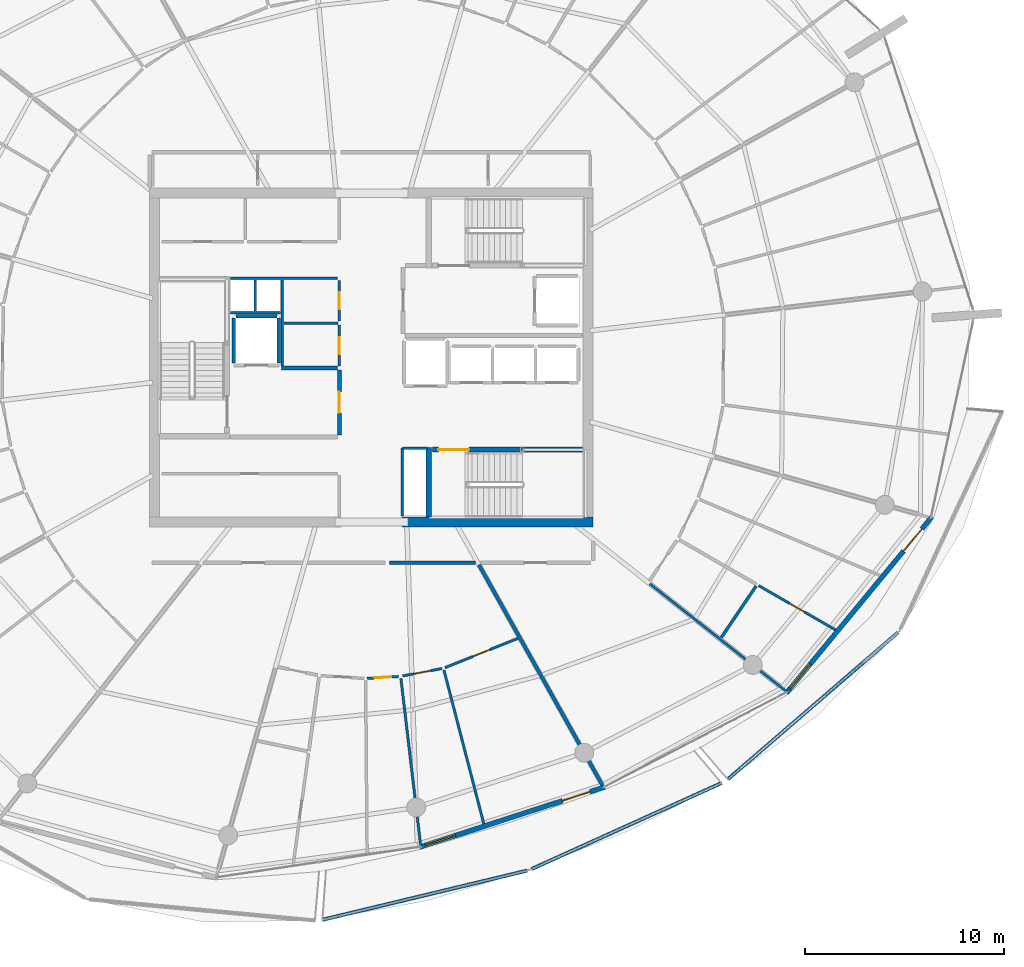
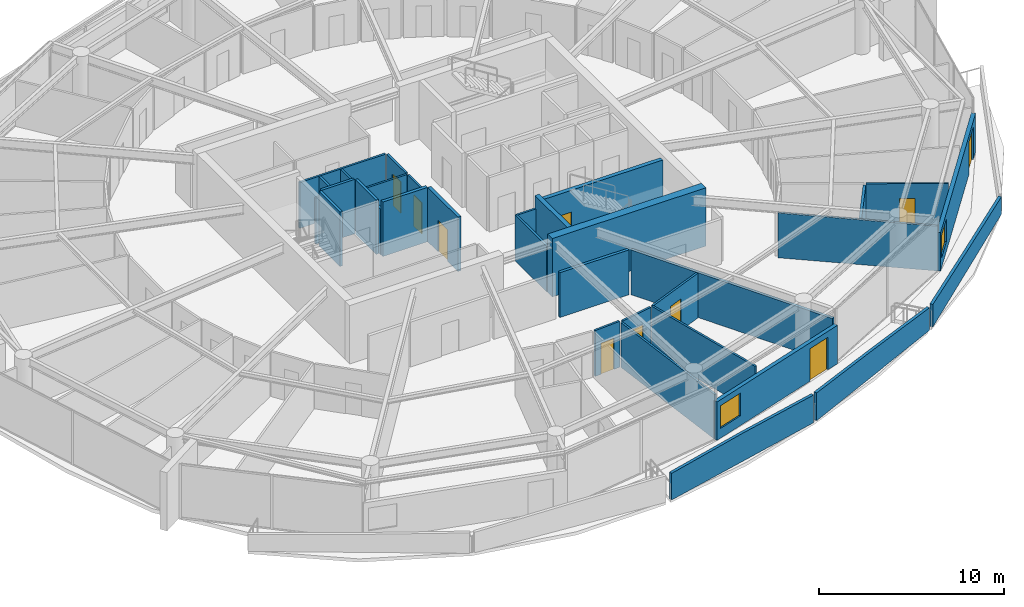
# One storey, part 19 of 30: 32 walls, 10 doors, 2 windows, 12 openings.
"""IFC4 building model written with IfcOpenShell, lengths in metres."""

from ifc_helpers import new_model, si_unit, direction, frame, frame_2d, origin, place, context, subcontext, project, spatial, polyline, rectangle, outline, extrude, material, layer, layer_set, type_object, element, fill, save


model = new_model("IFC4")

# Units and contexts
model_context = context("Model", 3, precision=1e-05, world=origin(), true_north=direction((0.0, 1.0)))
body_context = subcontext(model_context, "Body", "Model", "MODEL_VIEW")
ifc_project = project(units=[si_unit("LENGTHUNIT", "METRE"), si_unit("AREAUNIT", "SQUARE_METRE"), si_unit("VOLUMEUNIT", "CUBIC_METRE"), si_unit("PLANEANGLEUNIT", "RADIAN"), si_unit("MASSUNIT", "GRAM", prefix="KILO")], contexts=[model_context])

# Site, building, storey
site_placement = place(None, origin())
site = spatial("IfcSite", under=ifc_project, at=site_placement, CompositionType="ELEMENT")
building_placement = place(site_placement, origin())
building = spatial("IfcBuilding", under=site, at=building_placement, Name="Kazma Halo Residences", CompositionType="ELEMENT")
storey_placement = place(building_placement, frame((0.0, 0.0, 294.449951171875)))
storey = spatial("IfcBuildingStorey", under=building, at=storey_placement, Name="L74", CompositionType="ELEMENT", Elevation=294.449951171875)

# Walls
ifc_material_1 = material(Name="White Concrete C50/60 Balustrade", Category="concrete")
ifc_layer_1 = layer(ifc_material_1, 0.179931640625)
ifc_layer_set_1 = layer_set([ifc_layer_1], Name="White Concrete C50/60 Balustrade")
wall_type_1 = type_object("IfcWallType", Name="WL-BAL-WAVE-180", PredefinedType="PARAPET", material=ifc_layer_set_1)
wall_1_placement = place(storey_placement, frame((45.952392578125, 13.780517578125, 0.0), z_axis=(0.0, 0.0, 1.0), x_axis=(0.972325059784, 0.233632142729, 0.0)))
element("IfcWall", 1, at=wall_1_placement, inside=storey, type_object=wall_type_1, Name="L74 white wave balustrade wall SSE.1", PredefinedType="PARAPET", context=body_context, shape_type="SweptSolid", body=[
    extrude(outline(polyline([(0.0, 0.0), (10.580322265625, 0.0), (10.580322265625, 1.83203125), (5.290283203125, 1.85302734375), (0.0, 1.756103515625), (0.0, 0.0)])), frame((0.0, 0.08984375, 0.0), z_axis=(0.0, -1.0, 0.0), x_axis=(1.0, 0.0, 0.0)), (0.0, 0.0, 1.0), 0.179931640625),
])
wall_2_placement = place(storey_placement, frame((56.466064453125, 16.329833984375, 0.0), z_axis=(0.0, 0.0, 1.0), x_axis=(0.910900469726, 0.412626143444, 0.0)))
element("IfcWall", 2, at=wall_2_placement, inside=storey, type_object=wall_type_1, Name="L74 white wave balustrade wall SSE.2", PredefinedType="PARAPET", context=body_context, shape_type="SweptSolid", body=[
    extrude(outline(polyline([(0.0, 0.0), (10.4755859375, 0.0), (10.4755859375, 1.4970703125), (5.23779296875, 1.696044921875), (0.0, 1.83203125), (0.0, 0.0)])), frame((0.0, 0.08984375, 0.0), z_axis=(0.0, -1.0, 0.0), x_axis=(1.0, 0.0, 0.0)), (0.0, 0.0, 1.0), 0.179931640625),
])
wall_3_placement = place(storey_placement, frame((66.30615234375, 20.82958984375, 0.0), z_axis=(0.0, 0.0, 1.0), x_axis=(0.757188428153, 0.653196512751, 0.0)))
element("IfcWall", 3, at=wall_3_placement, inside=storey, type_object=wall_type_1, Name="L74 white wave balustrade wall SE.1", PredefinedType="PARAPET", context=body_context, shape_type="SweptSolid", body=[
    extrude(outline(polyline([(0.0, 0.0), (11.2783203125, 0.0), (11.2783203125, 1.14794921875), (5.63916015625, 1.283935546875), (0.0, 1.483154296875), (0.0, 0.0)])), frame((0.0, 0.08984375, 0.0), z_axis=(0.0, -1.0, 0.0), x_axis=(1.0, 0.0, 0.0)), (0.0, 0.0, 1.0), 0.179931640625),
])
ifc_material_2 = material(Name="Concrete C60/75", Category="concrete")
ifc_layer_2 = layer(ifc_material_2, 0.5)
ifc_layer_set_2 = layer_set([ifc_layer_2], Name="Concrete C60/75")
wall_type_2 = type_object("IfcWallType", Name="WL-CORE-500", PredefinedType="SHEAR", material=ifc_layer_set_2)
wall_4_placement = place(storey_placement, frame((49.949951171875, 33.75, 0.0), z_axis=(0.0, 0.0, 1.0), x_axis=(1.0, 0.0, 0.0)))
element("IfcWall", 4, at=wall_4_placement, inside=storey, type_object=wall_type_2, Name="L74 central core shear wall SE", PredefinedType="SHEAR", context=body_context, shape_type="SweptSolid", body=[
    extrude(rectangle(XDim=9.60009765625, YDim=0.5, at=frame_2d((4.800048828125, 0.0))), origin(), (0.0, 0.0, 1.0), 3.85009765625),
])
ifc_layer_3 = layer(ifc_material_2, 0.280029296875)
ifc_layer_set_3 = layer_set([ifc_layer_3], Name="Concrete C60/75")
wall_type_3 = type_object("IfcWallType", Name="WL-CORE-ST-280", PredefinedType="SHEAR", material=ifc_layer_set_3)
wall_5_placement = place(storey_placement, frame((51.31005859375, 34.0, 0.0), z_axis=(0.0, 0.0, 1.0), x_axis=(0.0, 1.0, 0.0)))
element("IfcWall", 5, at=wall_5_placement, inside=storey, type_object=wall_type_3, Name="L74 stairwell bearing wall ST03-W", PredefinedType="SHEAR", context=body_context, shape_type="SweptSolid", body=[
    extrude(rectangle(XDim=3.5, YDim=0.280029296875, at=frame_2d((1.75, 0.0))), origin(), (0.0, 0.0, 1.0), 3.85009765625),
])
ifc_material_3 = material(Name="Acoustic Twin-Stud Gypsum")
ifc_layer_4 = layer(ifc_material_3, 0.179931640625)
ifc_layer_set_4 = layer_set([ifc_layer_4], Name="Acoustic Twin-Stud Gypsum")
wall_type_4 = type_object("IfcWallType", Name="WL-DEM-180", PredefinedType="PARTITIONING", material=ifc_layer_set_4)
wall_6_placement = place(storey_placement, frame((53.822021484375, 31.60400390625, 0.0), z_axis=(0.0, 0.0, 1.0), x_axis=(0.48862858053, -0.872491896976, 0.0)))
element("IfcWall", 6, at=wall_6_placement, inside=storey, type_object=wall_type_4, Name="L74 apartment demising radial wall 12", PredefinedType="PARTITIONING", context=body_context, shape_type="SweptSolid", body=[
    extrude(rectangle(XDim=12.679443359375, YDim=0.179931640625, at=frame_2d((6.33984375, 0.0))), origin(), (0.0, 0.0, 1.0), 2.95703125),
])
wall_7_placement = place(storey_placement, frame((49.339111328125, 31.699951171875, 0.0), z_axis=(0.0, 0.0, 1.0), x_axis=(1.0, 0.0, 0.0)))
element("IfcWall", 7, at=wall_7_placement, inside=storey, type_object=wall_type_4, Name="L74 Apartment 1 inner wall 11", PredefinedType="PARTITIONING", context=body_context, shape_type="SweptSolid", body=[
    extrude(rectangle(XDim=4.30908203125, YDim=0.179931640625, at=frame_2d((2.154541015625, 0.0))), origin(), (0.0, 0.0, 1.0), 2.95703125),
])

# Wall, openings, door, window
ifc_material_4 = material(Name="Insulated Pale-Metal Composite Wall")
ifc_layer_5 = layer(ifc_material_4, 0.239990234375)
ifc_layer_set_5 = layer_set([ifc_layer_5], Name="Insulated Pale-Metal Composite Wall")
wall_type_5 = type_object("IfcWallType", Name="WL-EXT-HOST-240", PredefinedType="SOLIDWALL", material=ifc_layer_set_5)
wall_8_placement = place(storey_placement, frame((50.85791015625, 17.436279296875, 0.0), z_axis=(0.0, 0.0, 1.0), x_axis=(0.951055974609, 0.309018661507, 0.0)))
wall_8 = element("IfcWall", 8, at=wall_8_placement, inside=storey, type_object=wall_type_5, Name="L74 exterior terrace-access wall B12", PredefinedType="SOLIDWALL", context=body_context, shape_type="SweptSolid", body=[
    extrude(rectangle(XDim=9.745361328125, YDim=0.239990234375, at=frame_2d((4.87255859375, 0.0))), origin(), (0.0, 0.0, 1.0), 2.5400390625),
])
opening_1_placement = place(wall_8_placement, frame((7.525390625, 0.0, 0.0)))
opening_1 = element("IfcOpeningElement", 9, at=opening_1_placement, cuts=wall_8, Name="Opening DTR-1600", PredefinedType="OPENING", context=body_context, shape_type="SweptSolid", body=[
    extrude(rectangle(XDim=1.449951171875, YDim=2.14990234375, at=frame_2d((0.72509765625, 1.074951171875))), frame((0.0, 0.1298828125, 0.0), z_axis=(0.0, -1.0, 0.0), x_axis=(1.0, 0.0, 0.0)), (0.0, 0.0, 1.0), 0.260009765625),
])
opening_2_placement = place(wall_8_placement, frame((0.280029296875, 0.0, 0.64990234375)))
opening_2 = element("IfcOpeningElement", 10, at=opening_2_placement, cuts=wall_8, Name="Opening W-1800", PredefinedType="OPENING", context=body_context, shape_type="SweptSolid", body=[
    extrude(rectangle(XDim=1.60009765625, YDim=1.5, at=frame_2d((0.800048828125, 0.75))), frame((0.0, 0.1298828125, 0.0), z_axis=(0.0, -1.0, 0.0), x_axis=(1.0, 0.0, 0.0)), (0.0, 0.0, 1.0), 0.260009765625),
])
ifc_material_5 = material(Name="Aluminium AW-6063 T6 Double-Glazed Terrace Door", Category="aluminium")
door_type_1 = type_object("IfcDoorType", Name="DR-EXT-TERR-1600", OperationType="NOTDEFINED", PredefinedType="DOOR", material=ifc_material_5)
door_1_placement = place(opening_1_placement, origin())
door_1 = element("IfcDoor", 11, at=door_1_placement, inside=storey, type_object=door_type_1, Name="L74 B12 balcony terrace door", OperationType="DOUBLE_DOOR_SLIDING", OverallHeight=2.14990234375, OverallWidth=1.449951171875, PredefinedType="DOOR", context=body_context, shape_type="SweptSolid", body=[
    extrude(rectangle(XDim=1.449951171875, YDim=2.14990234375, at=frame_2d((0.72509765625, 1.074951171875))), frame((0.0, 0.02490234375, 0.0), z_axis=(0.0, -1.0, 0.0), x_axis=(1.0, 0.0, 0.0)), (0.0, 0.0, 1.0), 0.050048828125),
])
fill(opening_1, door_1)
ifc_material_6 = material(Name="Clear Triple-Silver Low-E Glass in Aluminium AW-6063 T6 Frame", Category="aluminium")
window_type = type_object("IfcWindowType", Name="WIN-RES-1800", PartitioningType="DOUBLE_PANEL_VERTICAL", PredefinedType="WINDOW", material=ifc_material_6)
window_1_placement = place(opening_2_placement, origin())
window_1 = element("IfcWindow", 12, at=window_1_placement, inside=storey, type_object=window_type, Name="L74 B12 apartment window", OverallHeight=1.5, OverallWidth=1.60009765625, PartitioningType="SINGLE_PANEL", PredefinedType="WINDOW", context=body_context, shape_type="SweptSolid", body=[
    extrude(rectangle(XDim=1.60009765625, YDim=1.5, at=frame_2d((0.800048828125, 0.75))), frame((0.0, 0.030029296875, 0.0), z_axis=(0.0, -1.0, 0.0), x_axis=(1.0, 0.0, 0.0)), (0.0, 0.0, 1.0), 0.06005859375),
])
fill(opening_2, window_1)

wall_9_placement = place(storey_placement, frame((69.2578125, 25.177978515625, 0.0), z_axis=(0.0, 0.0, 1.0), x_axis=(0.636680093065, 0.771128043255, 0.0)))
wall_9 = element("IfcWall", 13, at=wall_9_placement, inside=storey, type_object=wall_type_5, Name="L74 exterior terrace-access wall B14", PredefinedType="SOLIDWALL", context=body_context, shape_type="SweptSolid", body=[
    extrude(rectangle(XDim=11.438232421875, YDim=0.239990234375, at=frame_2d((5.71923828125, 0.0))), origin(), (0.0, 0.0, 1.0), 2.5400390625),
])
opening_3_placement = place(wall_9_placement, frame((9.21826171875, 0.0, 0.0)))
opening_3 = element("IfcOpeningElement", 14, at=opening_3_placement, cuts=wall_9, Name="Opening DTR-1600", PredefinedType="OPENING", context=body_context, shape_type="SweptSolid", body=[
    extrude(rectangle(XDim=1.449951171875, YDim=2.14990234375, at=frame_2d((0.72509765625, 1.074951171875))), frame((0.0, 0.1298828125, 0.0), z_axis=(0.0, -1.0, 0.0), x_axis=(1.0, 0.0, 0.0)), (0.0, 0.0, 1.0), 0.260009765625),
])
opening_4_placement = place(wall_9_placement, frame((0.280029296875, 0.0, 0.64990234375)))
opening_4 = element("IfcOpeningElement", 15, at=opening_4_placement, cuts=wall_9, Name="Opening W-1800", PredefinedType="OPENING", context=body_context, shape_type="SweptSolid", body=[
    extrude(rectangle(XDim=1.60009765625, YDim=1.5, at=frame_2d((0.800048828125, 0.75))), frame((0.0, 0.1298828125, 0.0), z_axis=(0.0, -1.0, 0.0), x_axis=(1.0, 0.0, 0.0)), (0.0, 0.0, 1.0), 0.260009765625),
])
door_2_placement = place(opening_3_placement, origin())
door_2 = element("IfcDoor", 16, at=door_2_placement, inside=storey, type_object=door_type_1, Name="L74 B14 balcony terrace door", OperationType="DOUBLE_DOOR_SLIDING", OverallHeight=2.14990234375, OverallWidth=1.449951171875, PredefinedType="DOOR", context=body_context, shape_type="SweptSolid", body=[
    extrude(rectangle(XDim=1.449951171875, YDim=2.14990234375, at=frame_2d((0.72509765625, 1.074951171875))), frame((0.0, 0.02490234375, 0.0), z_axis=(0.0, -1.0, 0.0), x_axis=(1.0, 0.0, 0.0)), (0.0, 0.0, 1.0), 0.050048828125),
])
fill(opening_3, door_2)
window_2_placement = place(opening_4_placement, origin())
window_2 = element("IfcWindow", 17, at=window_2_placement, inside=storey, type_object=window_type, Name="L74 B14 apartment window", OverallHeight=1.5, OverallWidth=1.60009765625, PartitioningType="SINGLE_PANEL", PredefinedType="WINDOW", context=body_context, shape_type="SweptSolid", body=[
    extrude(rectangle(XDim=1.60009765625, YDim=1.5, at=frame_2d((0.800048828125, 0.75))), frame((0.0, 0.030029296875, 0.0), z_axis=(0.0, -1.0, 0.0), x_axis=(1.0, 0.0, 0.0)), (0.0, 0.0, 1.0), 0.06005859375),
])
fill(opening_4, window_2)

# Walls
ifc_material_7 = material(Name="Fire-Rated Blockwork Masonry", Category="masonry")
ifc_layer_6 = layer(ifc_material_7, 0.199951171875)
ifc_layer_set_6 = layer_set([ifc_layer_6], Name="Fire-Rated Blockwork Masonry")
wall_type_6 = type_object("IfcWallType", Name="WL-FLB-200", PredefinedType="PARTITIONING", material=ifc_layer_set_6)
for number, where, z_axis, x_axis, name in (
    (18, (43.780029296875, 41.719970703125, 0.0), (0.0, 0.0, 1.0), (0.0, 1.0, 0.0), "L74 lift shaft FL-01 side wall E"),
    (19, (41.52001953125, 41.719970703125, 0.0), (0.0, 0.0, 1.0), (0.0, 1.0, 0.0), "L74 lift shaft FL-01 side wall W"),
):
    element("IfcWall", number, at=place(storey_placement, frame(where, z_axis=z_axis, x_axis=x_axis)), inside=storey, type_object=wall_type_6, Name=name, PredefinedType="PARTITIONING", context=body_context, shape_type="SweptSolid", body=[
        extrude(rectangle(XDim=2.260009765625, YDim=0.159912109375, at=frame_2d((1.1298828125, 0.0))), origin(), (0.0, 0.0, 1.0), 3.590087890625),
    ])
wall_10_placement = place(storey_placement, frame((41.6201171875, 44.080078125, 0.0), z_axis=(0.0, 0.0, 1.0), x_axis=(1.0, 0.0, 0.0)))
element("IfcWall", 20, at=wall_10_placement, inside=storey, type_object=wall_type_6, Name="L74 lift shaft FL-01 side wall N", PredefinedType="PARTITIONING", context=body_context, shape_type="SweptSolid", body=[
    extrude(rectangle(XDim=2.059814453125, YDim=0.159912109375, at=frame_2d((1.02978515625, 0.0))), origin(), (0.0, 0.0, 1.0), 3.590087890625),
])
wall_11_placement = place(storey_placement, frame((43.919921875, 41.47998046875, 0.0), z_axis=(0.0, 0.0, 1.0), x_axis=(1.0, 0.0, 0.0)))
element("IfcWall", 21, at=wall_11_placement, inside=storey, type_object=wall_type_6, Name="L74 west firefighting lobby north smoke wall", PredefinedType="PARTITIONING", context=body_context, shape_type="SweptSolid", body=[
    extrude(rectangle(XDim=2.800048828125, YDim=0.199951171875, at=frame_2d((1.39990234375, 0.0))), origin(), (0.0, 0.0, 1.0), 3.590087890625),
])

# Wall, opening, door
wall_12_placement = place(storey_placement, frame((46.820068359375, 38.1201171875, 0.0), z_axis=(0.0, 0.0, 1.0), x_axis=(0.0, 1.0, 0.0)))
wall_12 = element("IfcWall", 22, at=wall_12_placement, inside=storey, type_object=wall_type_6, Name="L74 west firefighting lobby smoke wall", PredefinedType="PARTITIONING", context=body_context, shape_type="SweptSolid", body=[
    extrude(rectangle(XDim=3.259765625, YDim=0.199951171875, at=frame_2d((1.6298828125, 0.0))), origin(), (0.0, 0.0, 1.0), 3.590087890625),
])
opening_5_placement = place(wall_12_placement, frame((1.10498046875, 0.0, 0.0)))
opening_5 = element("IfcOpeningElement", 23, at=opening_5_placement, cuts=wall_12, Name="Opening D-FLW", PredefinedType="OPENING", context=body_context, shape_type="SweptSolid", body=[
    extrude(rectangle(XDim=1.050048828125, YDim=2.10009765625, at=frame_2d((0.52490234375, 1.050048828125))), frame((0.0, 0.10986328125, 0.0), z_axis=(0.0, -1.0, 0.0), x_axis=(1.0, 0.0, 0.0)), (0.0, 0.0, 1.0), 0.219970703125),
])
ifc_material_8 = material(Name="Fire-Rated Steel Leaf", Category="steel")
door_type_2 = type_object("IfcDoorType", Name="DR-FD90-1050", OperationType="NOTDEFINED", PredefinedType="DOOR", material=ifc_material_8)
door_3_placement = place(opening_5_placement, origin())
door_3 = element("IfcDoor", 24, at=door_3_placement, inside=storey, type_object=door_type_2, Name="L74 west firefighting lobby smoke door", OperationType="SINGLE_SWING_LEFT", OverallHeight=2.10009765625, OverallWidth=1.050048828125, PredefinedType="DOOR", context=body_context, shape_type="SweptSolid", body=[
    extrude(rectangle(XDim=1.050048828125, YDim=2.10009765625, at=frame_2d((0.52490234375, 1.050048828125))), frame((0.0, 0.02490234375, 0.0), z_axis=(0.0, -1.0, 0.0), x_axis=(1.0, 0.0, 0.0)), (0.0, 0.0, 1.0), 0.050048828125),
])
fill(opening_5, door_3)

# Walls
ifc_material_9 = material(Name="Gypsum Plasterboard Partition")
ifc_layer_7 = layer(ifc_material_9, 0.125)
ifc_layer_set_7 = layer_set([ifc_layer_7], Name="Gypsum Plasterboard Partition")
wall_type_7 = type_object("IfcWallType", Name="WL-PART-125", PredefinedType="PARTITIONING", material=ifc_layer_set_7)
wall_13_placement = place(storey_placement, frame((41.360107421875, 45.97998046875, 0.0), z_axis=(0.0, 0.0, 1.0), x_axis=(1.0, 0.0, 0.0)))
element("IfcWall", 25, at=wall_13_placement, inside=storey, type_object=wall_type_7, Name="L74 core north riser wall", PredefinedType="PARTITIONING", context=body_context, shape_type="SweptSolid", body=[
    extrude(rectangle(XDim=5.35986328125, YDim=0.125, at=frame_2d((2.679931640625, 0.0))), origin(), (0.0, 0.0, 1.0), 3.030029296875),
])
wall_14_placement = place(storey_placement, frame((41.360107421875, 44.260009765625, 0.0), z_axis=(0.0, 0.0, 1.0), x_axis=(1.0, 0.0, 0.0)))
element("IfcWall", 26, at=wall_14_placement, inside=storey, type_object=wall_type_7, Name="L74 core riser south wall", PredefinedType="PARTITIONING", context=body_context, shape_type="SweptSolid", body=[
    extrude(rectangle(XDim=2.5, YDim=0.125, at=frame_2d((1.25, 0.0))), origin(), (0.0, 0.0, 1.0), 3.030029296875),
])
wall_15_placement = place(storey_placement, frame((42.60009765625, 44.35009765625, 0.0), z_axis=(0.0, 0.0, 1.0), x_axis=(0.0, 1.0, 0.0)))
element("IfcWall", 27, at=wall_15_placement, inside=storey, type_object=wall_type_7, Name="L74 core riser divider wall", PredefinedType="PARTITIONING", context=body_context, shape_type="SweptSolid", body=[
    extrude(rectangle(XDim=1.5498046875, YDim=0.125, at=frame_2d((0.77490234375, 0.0))), origin(), (0.0, 0.0, 1.0), 3.030029296875),
])
wall_16_placement = place(storey_placement, frame((49.97998046875, 34.06005859375, 0.0), z_axis=(0.0, 0.0, 1.0), x_axis=(0.0, 1.0, 0.0)))
element("IfcWall", 28, at=wall_16_placement, inside=storey, type_object=wall_type_7, Name="L74 standpipe riser wall", PredefinedType="PARTITIONING", context=body_context, shape_type="SweptSolid", body=[
    extrude(rectangle(XDim=3.39990234375, YDim=0.125, at=frame_2d((1.699951171875, 0.0))), origin(), (0.0, 0.0, 1.0), 3.030029296875),
])
wall_17_placement = place(storey_placement, frame((49.97998046875, 37.43994140625, 0.0), z_axis=(0.0, 0.0, 1.0), x_axis=(1.0, 0.0, 0.0)))
element("IfcWall", 29, at=wall_17_placement, inside=storey, type_object=wall_type_7, Name="L74 standpipe riser north wall", PredefinedType="PARTITIONING", context=body_context, shape_type="SweptSolid", body=[
    extrude(rectangle(XDim=1.260009765625, YDim=0.125, at=frame_2d((0.6298828125, 0.0))), origin(), (0.0, 0.0, 1.0), 3.030029296875),
])
wall_18_placement = place(storey_placement, frame((43.949951171875, 41.580078125, 0.0), z_axis=(0.0, 0.0, 1.0), x_axis=(0.0, 1.0, 0.0)))
element("IfcWall", 30, at=wall_18_placement, inside=storey, type_object=wall_type_7, Name="L74 core service west wall", PredefinedType="PARTITIONING", context=body_context, shape_type="SweptSolid", body=[
    extrude(rectangle(XDim=4.31982421875, YDim=0.125, at=frame_2d((2.159912109375, 0.0))), origin(), (0.0, 0.0, 1.0), 3.030029296875),
])
wall_19_placement = place(storey_placement, frame((44.030029296875, 43.72998046875, 0.0), z_axis=(0.0, 0.0, 1.0), x_axis=(1.0, 0.0, 0.0)))
element("IfcWall", 31, at=wall_19_placement, inside=storey, type_object=wall_type_7, Name="L74 switch/IDF divider", PredefinedType="PARTITIONING", context=body_context, shape_type="SweptSolid", body=[
    extrude(rectangle(XDim=2.7099609375, YDim=0.125, at=frame_2d((1.35498046875, 0.0))), origin(), (0.0, 0.0, 1.0), 3.030029296875),
])

# Wall, opening, door
wall_20_placement = place(storey_placement, frame((46.820068359375, 41.580078125, 0.0), z_axis=(0.0, 0.0, 1.0), x_axis=(0.0, 1.0, 0.0)))
wall_20 = element("IfcWall", 32, at=wall_20_placement, inside=storey, type_object=wall_type_7, Name="L74 electrical switch room east wall", PredefinedType="PARTITIONING", context=body_context, shape_type="SweptSolid", body=[
    extrude(rectangle(XDim=2.0498046875, YDim=0.125, at=frame_2d((1.02490234375, 0.0))), origin(), (0.0, 0.0, 1.0), 3.030029296875),
])
opening_6_placement = place(wall_20_placement, frame((0.60009765625, 0.0, 0.0)))
opening_6 = element("IfcOpeningElement", 33, at=opening_6_placement, cuts=wall_20, Name="Opening DS-850", PredefinedType="OPENING", context=body_context, shape_type="SweptSolid", body=[
    extrude(rectangle(XDim=0.85009765625, YDim=2.06005859375, at=frame_2d((0.425048828125, 1.030029296875))), frame((0.0, 0.072509765625, 0.0), z_axis=(0.0, -1.0, 0.0), x_axis=(1.0, 0.0, 0.0)), (0.0, 0.0, 1.0), 0.14501953125),
])
ifc_material_10 = material(Name="Painted Steel Access Leaf", Category="steel")
door_type_3 = type_object("IfcDoorType", Name="DR-SVC-850", OperationType="NOTDEFINED", PredefinedType="DOOR", material=ifc_material_10)
door_4_placement = place(opening_6_placement, origin())
door_4 = element("IfcDoor", 34, at=door_4_placement, inside=storey, type_object=door_type_3, Name="L74 electrical switch room door", OperationType="SINGLE_SWING_LEFT", OverallHeight=2.06005859375, OverallWidth=0.85009765625, PredefinedType="DOOR", context=body_context, shape_type="SweptSolid", body=[
    extrude(rectangle(XDim=0.85009765625, YDim=2.06005859375, at=frame_2d((0.425048828125, 1.030029296875))), frame((0.0, 0.02490234375, 0.0), z_axis=(0.0, -1.0, 0.0), x_axis=(1.0, 0.0, 0.0)), (0.0, 0.0, 1.0), 0.050048828125),
])
fill(opening_6, door_4)

wall_21_placement = place(storey_placement, frame((46.820068359375, 43.830078125, 0.0), z_axis=(0.0, 0.0, 1.0), x_axis=(0.0, 1.0, 0.0)))
wall_21 = element("IfcWall", 35, at=wall_21_placement, inside=storey, type_object=wall_type_7, Name="L74 telecom IDF room east wall", PredefinedType="PARTITIONING", context=body_context, shape_type="SweptSolid", body=[
    extrude(rectangle(XDim=2.0498046875, YDim=0.125, at=frame_2d((1.02490234375, 0.0))), origin(), (0.0, 0.0, 1.0), 3.030029296875),
])
opening_7_placement = place(wall_21_placement, frame((0.60009765625, 0.0, 0.0)))
opening_7 = element("IfcOpeningElement", 36, at=opening_7_placement, cuts=wall_21, Name="Opening DS-850", PredefinedType="OPENING", context=body_context, shape_type="SweptSolid", body=[
    extrude(rectangle(XDim=0.85009765625, YDim=2.06005859375, at=frame_2d((0.425048828125, 1.030029296875))), frame((0.0, 0.072509765625, 0.0), z_axis=(0.0, -1.0, 0.0), x_axis=(1.0, 0.0, 0.0)), (0.0, 0.0, 1.0), 0.14501953125),
])
door_5_placement = place(opening_7_placement, origin())
door_5 = element("IfcDoor", 37, at=door_5_placement, inside=storey, type_object=door_type_3, Name="L74 telecom IDF room door", OperationType="SINGLE_SWING_RIGHT", OverallHeight=2.06005859375, OverallWidth=0.85009765625, PredefinedType="DOOR", context=body_context, shape_type="SweptSolid", body=[
    extrude(rectangle(XDim=0.85009765625, YDim=2.06005859375, at=frame_2d((0.425048828125, 1.030029296875))), frame((0.0, 0.02490234375, 0.0), z_axis=(0.0, -1.0, 0.0), x_axis=(1.0, 0.0, 0.0)), (0.0, 0.0, 1.0), 0.050048828125),
])
fill(opening_7, door_5)

wall_22_placement = place(storey_placement, frame((48.21484375, 25.899658203125, 0.0), z_axis=(0.0, 0.0, 1.0), x_axis=(0.998014552678, 0.062983749032, 0.0)))
wall_22 = element("IfcWall", 38, at=wall_22_placement, inside=storey, type_object=wall_type_7, Name="L74 Apartment 1 Primary Bedroom hall wall", PredefinedType="PARTITIONING", context=body_context, shape_type="SweptSolid", body=[
    extrude(rectangle(XDim=1.58154296875, YDim=0.125, at=frame_2d((0.790771484375, 0.0))), origin(), (0.0, 0.0, 1.0), 3.030029296875),
])
opening_8_placement = place(wall_22_placement, frame((0.36572265625, 0.0, 0.0)))
opening_8 = element("IfcOpeningElement", 39, at=opening_8_placement, cuts=wall_22, Name="Opening DB-900", PredefinedType="OPENING", context=body_context, shape_type="SweptSolid", body=[
    extrude(rectangle(XDim=0.85009765625, YDim=2.06005859375, at=frame_2d((0.425048828125, 1.030029296875))), frame((0.0, 0.072509765625, 0.0), z_axis=(0.0, -1.0, 0.0), x_axis=(1.0, 0.0, 0.0)), (0.0, 0.0, 1.0), 0.14501953125),
])
ifc_material_11 = material(Name="Moisture-Sealed Timber Leaf", Category="wood")
door_type_4 = type_object("IfcDoorType", Name="DR-BTH-900", OperationType="NOTDEFINED", PredefinedType="DOOR", material=ifc_material_11)
door_6_placement = place(opening_8_placement, origin())
door_6 = element("IfcDoor", 40, at=door_6_placement, inside=storey, type_object=door_type_4, Name="L74 Apartment 1 Primary Bedroom door", OperationType="SINGLE_SWING_RIGHT", OverallHeight=2.06005859375, OverallWidth=0.85009765625, PredefinedType="DOOR", context=body_context, shape_type="SweptSolid", body=[
    extrude(rectangle(XDim=0.85009765625, YDim=2.06005859375, at=frame_2d((0.425048828125, 1.030029296875))), frame((0.0, 0.02490234375, 0.0), z_axis=(0.0, -1.0, 0.0), x_axis=(1.0, 0.0, 0.0)), (0.0, 0.0, 1.0), 0.050048828125),
])
fill(opening_8, door_6)

# Walls
wall_23_placement = place(storey_placement, frame((49.90478515625, 25.90625, 0.0), z_axis=(0.0, 0.0, 1.0), x_axis=(0.117547094893, -0.99306730914, 0.0)))
element("IfcWall", 41, at=wall_23_placement, inside=storey, type_object=wall_type_7, Name="L74 Apartment 1 radial partition 11", PredefinedType="PARTITIONING", context=body_context, shape_type="SweptSolid", body=[
    extrude(rectangle(XDim=8.488525390625, YDim=0.125, at=frame_2d((4.244140625, 0.0))), origin(), (0.0, 0.0, 1.0), 2.95703125),
])
wall_24_placement = place(storey_placement, frame((52.064697265625, 26.322509765625, 0.0), z_axis=(0.0, 0.0, 1.0), x_axis=(0.250968538736, -0.967995244082, 0.0)))
element("IfcWall", 42, at=wall_24_placement, inside=storey, type_object=wall_type_7, Name="L74 Apartment 1 mid-bay wall 11", PredefinedType="PARTITIONING", context=body_context, shape_type="SweptSolid", body=[
    extrude(rectangle(XDim=7.96826171875, YDim=0.125, at=frame_2d((3.984130859375, 0.0))), origin(), (0.0, 0.0, 1.0), 3.030029296875),
])

# Wall, opening, door
wall_25_placement = place(storey_placement, frame((49.991455078125, 26.024169921875, 0.0), z_axis=(0.0, 0.0, 1.0), x_axis=(0.982793580951, 0.184707274469, 0.0)))
wall_25 = element("IfcWall", 43, at=wall_25_placement, inside=storey, type_object=wall_type_7, Name="L74 Apartment 1 Primary Dressing Wardrobe hall wall", PredefinedType="PARTITIONING", context=body_context, shape_type="SweptSolid", body=[
    extrude(rectangle(XDim=2.00634765625, YDim=0.125, at=frame_2d((1.003173828125, 0.0))), origin(), (0.0, 0.0, 1.0), 2.95703125),
])
opening_9_placement = place(wall_25_placement, frame((0.578369140625, 0.0, 0.0)))
opening_9 = element("IfcOpeningElement", 44, at=opening_9_placement, cuts=wall_25, Name="Opening DB-900", PredefinedType="OPENING", context=body_context, shape_type="SweptSolid", body=[
    extrude(rectangle(XDim=0.85009765625, YDim=2.06005859375, at=frame_2d((0.425048828125, 1.030029296875))), frame((0.0, 0.072509765625, 0.0), z_axis=(0.0, -1.0, 0.0), x_axis=(1.0, 0.0, 0.0)), (0.0, 0.0, 1.0), 0.14501953125),
])
door_7_placement = place(opening_9_placement, origin())
door_7 = element("IfcDoor", 45, at=door_7_placement, inside=storey, type_object=door_type_4, Name="L74 Apartment 1 Primary Dressing Wardrobe door", OperationType="SINGLE_SWING_RIGHT", OverallHeight=2.06005859375, OverallWidth=0.85009765625, PredefinedType="DOOR", context=body_context, shape_type="SweptSolid", body=[
    extrude(rectangle(XDim=0.85009765625, YDim=2.06005859375, at=frame_2d((0.425048828125, 1.030029296875))), frame((0.0, 0.02490234375, 0.0), z_axis=(0.0, -1.0, 0.0), x_axis=(1.0, 0.0, 0.0)), (0.0, 0.0, 1.0), 0.050048828125),
])
fill(opening_9, door_7)

wall_26_placement = place(storey_placement, frame((52.1162109375, 26.439208984375, 0.0), z_axis=(0.0, 0.0, 1.0), x_axis=(0.92786943094, 0.372905241486, 0.0)))
wall_26 = element("IfcWall", 46, at=wall_26_placement, inside=storey, type_object=wall_type_7, Name="L74 Apartment 1 Secondary Master Bedroom hall wall", PredefinedType="PARTITIONING", context=body_context, shape_type="SweptSolid", body=[
    extrude(rectangle(XDim=3.9453125, YDim=0.125, at=frame_2d((1.97265625, 0.0))), origin(), (0.0, 0.0, 1.0), 2.95703125),
])
opening_10_placement = place(wall_26_placement, frame((1.522705078125, 0.0, 0.0)))
opening_10 = element("IfcOpeningElement", 47, at=opening_10_placement, cuts=wall_26, Name="Opening DI-950", PredefinedType="OPENING", context=body_context, shape_type="SweptSolid", body=[
    extrude(rectangle(XDim=0.89990234375, YDim=2.080078125, at=frame_2d((0.449951171875, 1.0400390625))), frame((0.0, 0.072509765625, 0.0), z_axis=(0.0, -1.0, 0.0), x_axis=(1.0, 0.0, 0.0)), (0.0, 0.0, 1.0), 0.14501953125),
])
ifc_material_12 = material(Name="Timber Veneer Flush Leaf", Category="wood")
door_type_5 = type_object("IfcDoorType", Name="DR-INT-950", OperationType="NOTDEFINED", PredefinedType="DOOR", material=ifc_material_12)
door_8_placement = place(opening_10_placement, origin())
door_8 = element("IfcDoor", 48, at=door_8_placement, inside=storey, type_object=door_type_5, Name="L74 Apartment 1 Secondary Master Bedroom door", OperationType="SINGLE_SWING_LEFT", OverallHeight=2.080078125, OverallWidth=0.89990234375, PredefinedType="DOOR", context=body_context, shape_type="SweptSolid", body=[
    extrude(rectangle(XDim=0.89990234375, YDim=2.080078125, at=frame_2d((0.449951171875, 1.0400390625))), frame((0.0, 0.02490234375, 0.0), z_axis=(0.0, -1.0, 0.0), x_axis=(1.0, 0.0, 0.0)), (0.0, 0.0, 1.0), 0.050048828125),
])
fill(opening_10, door_8)

# Wall
wall_27_placement = place(storey_placement, frame((62.3994140625, 30.648193359375, 0.0), z_axis=(0.0, 0.0, 1.0), x_axis=(0.785335435896, -0.619070475088, 0.0)))
element("IfcWall", 49, at=wall_27_placement, inside=storey, type_object=wall_type_7, Name="L74 Apartment 2 radial partition 13", PredefinedType="PARTITIONING", context=body_context, shape_type="SweptSolid", body=[
    extrude(rectangle(XDim=8.74853515625, YDim=0.125, at=frame_2d((4.374267578125, 0.0))), origin(), (0.0, 0.0, 1.0), 2.95703125),
])

# Wall, opening, door
wall_28_placement = place(storey_placement, frame((67.856201171875, 30.560302734375, 0.0), z_axis=(0.0, 0.0, 1.0), x_axis=(0.86648068721, -0.499210595533, 0.0)))
wall_28 = element("IfcWall", 50, at=wall_28_placement, inside=storey, type_object=wall_type_7, Name="L74 Apartment 2 Utility Laundry Room partition wall", PredefinedType="PARTITIONING", context=body_context, shape_type="SweptSolid", body=[
    extrude(rectangle(XDim=4.446533203125, YDim=0.125, at=frame_2d((2.22314453125, 0.0))), origin(), (0.0, 0.0, 1.0), 3.030029296875),
])
opening_11_placement = place(wall_28_placement, frame((1.798095703125, 0.0, 0.0)))
opening_11 = element("IfcOpeningElement", 51, at=opening_11_placement, cuts=wall_28, Name="Opening DB-900", PredefinedType="OPENING", context=body_context, shape_type="SweptSolid", body=[
    extrude(rectangle(XDim=0.85009765625, YDim=2.06005859375, at=frame_2d((0.425048828125, 1.030029296875))), frame((0.0, 0.072509765625, 0.0), z_axis=(0.0, -1.0, 0.0), x_axis=(1.0, 0.0, 0.0)), (0.0, 0.0, 1.0), 0.14501953125),
])
door_9_placement = place(opening_11_placement, origin())
door_9 = element("IfcDoor", 52, at=door_9_placement, inside=storey, type_object=door_type_4, Name="L74 Apartment 2 Utility Laundry Room door", OperationType="SINGLE_SWING_LEFT", OverallHeight=2.06005859375, OverallWidth=0.85009765625, PredefinedType="DOOR", context=body_context, shape_type="SweptSolid", body=[
    extrude(rectangle(XDim=0.85009765625, YDim=2.06005859375, at=frame_2d((0.425048828125, 1.030029296875))), frame((0.0, 0.02490234375, 0.0), z_axis=(0.0, -1.0, 0.0), x_axis=(1.0, 0.0, 0.0)), (0.0, 0.0, 1.0), 0.050048828125),
])
fill(opening_11, door_9)

ifc_material_13 = material(Name="Concrete C50/60", Category="concrete")
ifc_layer_8 = layer(ifc_material_13, 0.25)
ifc_layer_set_8 = layer_set([ifc_layer_8], Name="Concrete C50/60")
wall_type_8 = type_object("IfcWallType", Name="WL-SHF-250", PredefinedType="SOLIDWALL", material=ifc_layer_set_8)
wall_29_placement = place(storey_placement, frame((51.47998046875, 37.3798828125, 0.0), z_axis=(0.0, 0.0, 1.0), x_axis=(1.0, 0.0, 0.0)))
wall_29 = element("IfcWall", 53, at=wall_29_placement, inside=storey, type_object=wall_type_8, Name="L74 exit stair ST-03 enclosure wall", PredefinedType="SOLIDWALL", context=body_context, shape_type="SweptSolid", body=[
    extrude(rectangle(XDim=7.5400390625, YDim=0.25, at=frame_2d((3.77001953125, 0.0))), origin(), (0.0, 0.0, 1.0), 3.590087890625),
])
opening_12_placement = place(wall_29_placement, frame((0.300048828125, 0.0, 0.0)))
opening_12 = element("IfcOpeningElement", 54, at=opening_12_placement, cuts=wall_29, Name="Opening D-ST3", PredefinedType="OPENING", context=body_context, shape_type="SweptSolid", body=[
    extrude(rectangle(XDim=1.550048828125, YDim=2.14990234375, at=frame_2d((0.77490234375, 1.074951171875))), frame((0.0, 0.135009765625, 0.0), z_axis=(0.0, -1.0, 0.0), x_axis=(1.0, 0.0, 0.0)), (0.0, 0.0, 1.0), 0.27001953125),
])
ifc_material_14 = material(Name="Fire-Rated Double Steel Leaf", Category="steel")
door_type_6 = type_object("IfcDoorType", Name="DR-FD90-1550", OperationType="NOTDEFINED", PredefinedType="DOOR", material=ifc_material_14)
door_10_placement = place(opening_12_placement, origin())
door_10 = element("IfcDoor", 55, at=door_10_placement, inside=storey, type_object=door_type_6, Name="L74 exit stair ST-03 fire door", OperationType="DOUBLE_DOOR_SINGLE_SWING", OverallHeight=2.14990234375, OverallWidth=1.550048828125, PredefinedType="DOOR", context=body_context, shape_type="SweptSolid", body=[
    extrude(rectangle(XDim=1.550048828125, YDim=2.14990234375, at=frame_2d((0.77490234375, 1.074951171875))), frame((0.0, 0.02490234375, 0.0), z_axis=(0.0, -1.0, 0.0), x_axis=(1.0, 0.0, 0.0)), (0.0, 0.0, 1.0), 0.050048828125),
])
fill(opening_12, door_10)

# Wall
ifc_material_15 = material(Name="Moisture-Resistant Gypsum")
ifc_layer_9 = layer(ifc_material_15, 0.14990234375)
ifc_layer_set_9 = layer_set([ifc_layer_9], Name="Moisture-Resistant Gypsum")
wall_type_9 = type_object("IfcWallType", Name="WL-WET-150", PredefinedType="PARTITIONING", material=ifc_layer_set_9)
wall_30_placement = place(storey_placement, frame((65.981689453125, 27.951416015625, 0.0), z_axis=(0.0, 0.0, 1.0), x_axis=(0.560619338422, 0.82807364249, 0.0)))
element("IfcWall", 56, at=wall_30_placement, inside=storey, type_object=wall_type_9, Name="L74 Apartment 2 Guest Bathroom back wall", PredefinedType="PARTITIONING", context=body_context, shape_type="SweptSolid", body=[
    extrude(rectangle(XDim=3.114501953125, YDim=0.14990234375, at=frame_2d((1.55712890625, 0.0))), origin(), (0.0, 0.0, 1.0), 2.95703125),
])

save(model, "model.ifc")
